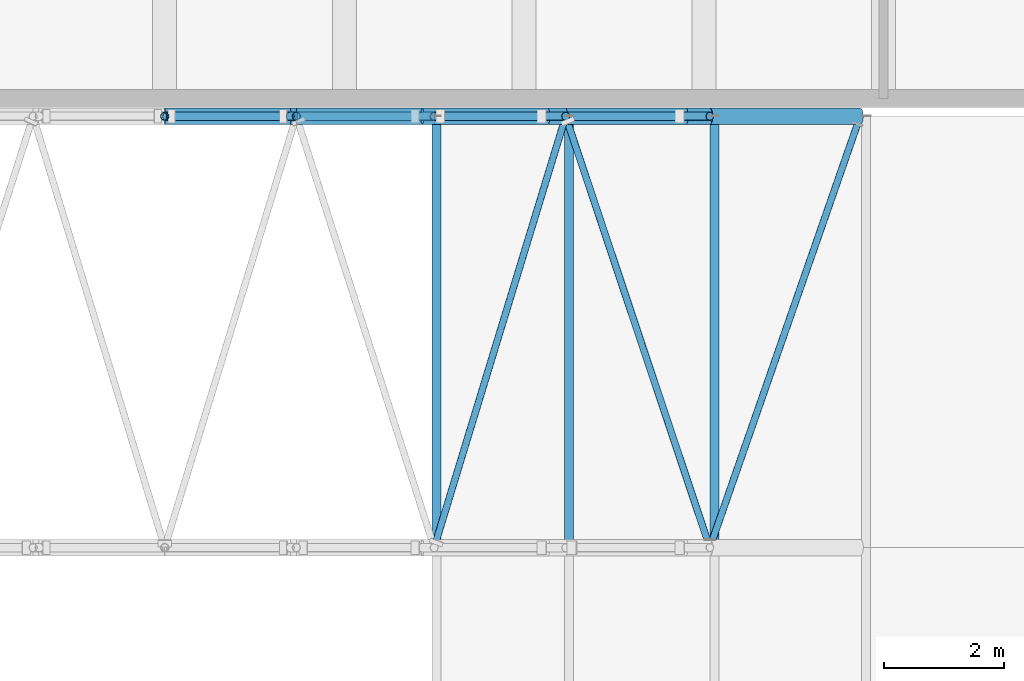
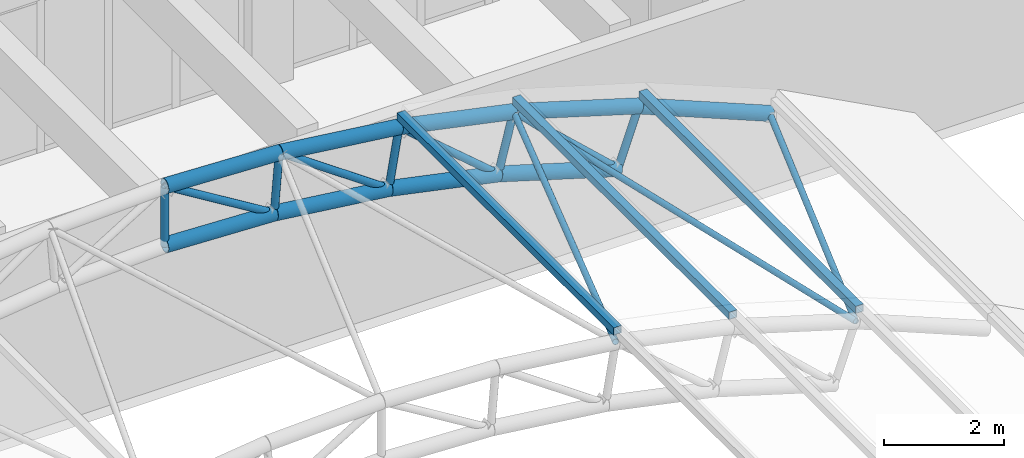
# One storey, part 12 of 92: 24 members.
"""IFC4 building model written with IfcOpenShell, lengths in metres."""

from ifc_helpers import new_model, si_unit, direction, frame, origin, origin_2d, place, context, subcontext, project, spatial, hollow_rectangle, hollow_circle, extrude, material, material_profile, profile_set, type_object, element, save


model = new_model("IFC4")

# Units and contexts
model_context = context("Model", 3, precision=1e-05, world=origin(), true_north=direction((0.0, 1.0)))
body_context = subcontext(model_context, "Body", "Model", "MODEL_VIEW")
ifc_project = project(units=[si_unit("LENGTHUNIT", "METRE"), si_unit("AREAUNIT", "SQUARE_METRE"), si_unit("VOLUMEUNIT", "CUBIC_METRE"), si_unit("PLANEANGLEUNIT", "RADIAN"), si_unit("MASSUNIT", "GRAM", prefix="KILO")], contexts=[model_context])

# Site, building, storey
site_placement = place(None, origin())
site = spatial("IfcSite", under=ifc_project, at=site_placement, CompositionType="ELEMENT")
building_placement = place(site_placement, origin())
building = spatial("IfcBuilding", under=site, at=building_placement, Name="Laocheng Heights Fire and Rescue Headquarters", CompositionType="ELEMENT")
storey_placement = place(building_placement, frame((0.0, 0.0, 12.60009765625)))
storey = spatial("IfcBuildingStorey", under=building, at=storey_placement, Name="L03", CompositionType="ELEMENT", Elevation=12.60009765625)

# Members
ifc_material_1 = material(Name="Steel Q355B", Category="steel")
ifc_material_profile_1 = material_profile(ifc_material_1, hollow_circle(Radius=0.05712890625, WallThickness=0.0048828125, at=origin_2d()), Name="CHS 114.3x5")
ifc_profile_set_1 = profile_set([ifc_material_profile_1], Name="Steel Q355B")
member_type_1 = type_object("IfcMemberType", Name="BAY ROOF BRACE CHS 114.3x5", PredefinedType="BRACE", material=ifc_profile_set_1)
member_1_placement = place(storey_placement, frame((40.498046875, 14.39990234375, 3.826904296875), z_axis=(0.29118762728, 0.954719900359, -0.06098915951), x_axis=(-0.956500494432, 0.291730704849, 0.0)))
element("IfcMember", 1, at=member_1_placement, inside=storey, type_object=member_type_1, Name="Roof brace C-D panel 11", PredefinedType="BRACE", context=body_context, shape_type="SweptSolid", body=[
    extrude(hollow_circle(Radius=0.05712890625, WallThickness=0.0048828125, at=origin_2d()), origin(), (0.0, 0.0, 1.0), 7.541748046875),
])
member_2_placement = place(storey_placement, frame((45.10009765625, 14.39990234375, 2.638916015625), z_axis=(-0.315484576817, 0.944116807659, 0.09546169539), x_axis=(-0.948448272196, -0.316931972145, 0.0)))
element("IfcMember", 2, at=member_2_placement, inside=storey, type_object=member_type_1, Name="Roof brace C-D panel 12", PredefinedType="BRACE", context=body_context, shape_type="SweptSolid", body=[
    extrude(hollow_circle(Radius=0.05712890625, WallThickness=0.0048828125, at=origin_2d()), origin(), (0.0, 0.0, 1.0), 7.62646484375),
])
member_3_placement = place(storey_placement, frame((45.10009765625, 14.39990234375, 2.638916015625), z_axis=(0.32620663514, 0.935753923116, -0.133991889913), x_axis=(-0.944268935836, 0.329174994213, 0.0)))
element("IfcMember", 3, at=member_3_placement, inside=storey, type_object=member_type_1, Name="Roof brace C-D panel 13", PredefinedType="BRACE", context=body_context, shape_type="SweptSolid", body=[
    extrude(hollow_circle(Radius=0.05712890625, WallThickness=0.0048828125, at=origin_2d()), origin(), (0.0, 0.0, 1.0), 7.694580078125),
])
ifc_material_2 = material(Name="Steel Q355B", Category="steel")
ifc_material_profile_2 = material_profile(ifc_material_2, hollow_circle(Radius=0.136474609375, WallThickness=0.011962890625, at=origin_2d()), Name="CHS 273x12")
ifc_profile_set_2 = profile_set([ifc_material_profile_2], Name="Steel Q355B")
member_type_2 = type_object("IfcMemberType", Name="BAY ROOF CHORD CHS 273x12", PredefinedType="CHORD", material=ifc_profile_set_2)
member_4_placement = place(storey_placement, frame((36.0, 21.60009765625, 4.199951171875), z_axis=(0.999178454192, 0.0, -0.04052674028), x_axis=(0.0, 1.0, 0.0)))
element("IfcMember", 4, at=member_4_placement, inside=storey, type_object=member_type_2, Name="Truss TR4 upper chord 09", PredefinedType="CHORD", context=body_context, shape_type="SweptSolid", body=[
    extrude(hollow_circle(Radius=0.136474609375, WallThickness=0.011962890625, at=origin_2d()), origin(), (0.0, 0.0, 1.0), 2.19873046875),
])
member_5_placement = place(storey_placement, frame((38.197021484375, 21.60009765625, 4.11083984375), z_axis=(0.992472661513, 0.0, -0.122466387834), x_axis=(0.0, 1.0, 0.0)))
element("IfcMember", 5, at=member_5_placement, inside=storey, type_object=member_type_2, Name="Truss TR4 upper chord 10", PredefinedType="CHORD", context=body_context, shape_type="SweptSolid", body=[
    extrude(hollow_circle(Radius=0.136474609375, WallThickness=0.011962890625, at=origin_2d()), origin(), (0.0, 0.0, 1.0), 2.318359375),
])
member_6_placement = place(storey_placement, frame((40.498046875, 21.60009765625, 3.826904296875), z_axis=(0.978761692997, 0.0, -0.205001337366), x_axis=(0.0, 1.0, 0.0)))
element("IfcMember", 6, at=member_6_placement, inside=storey, type_object=member_type_2, Name="Truss TR4 upper chord 11", PredefinedType="CHORD", context=body_context, shape_type="SweptSolid", body=[
    extrude(hollow_circle(Radius=0.136474609375, WallThickness=0.011962890625, at=origin_2d()), origin(), (0.0, 0.0, 1.0), 2.24365234375),
])
member_7_placement = place(storey_placement, frame((42.694091796875, 21.60009765625, 3.366943359375), z_axis=(0.957141950911, 0.0, -0.289619208282), x_axis=(0.0, 1.0, 0.0)))
element("IfcMember", 7, at=member_7_placement, inside=storey, type_object=member_type_2, Name="Truss TR4 upper chord 12", PredefinedType="CHORD", context=body_context, shape_type="SweptSolid", body=[
    extrude(hollow_circle(Radius=0.136474609375, WallThickness=0.011962890625, at=origin_2d()), origin(), (0.0, 0.0, 1.0), 2.513671875),
])
member_8_placement = place(storey_placement, frame((45.10009765625, 21.60009765625, 2.638916015625), z_axis=(0.925005702024, 0.0, -0.379953222415), x_axis=(0.0, 1.0, 0.0)))
element("IfcMember", 8, at=member_8_placement, inside=storey, type_object=member_type_2, Name="Truss TR4 upper chord 13", PredefinedType="CHORD", context=body_context, shape_type="SweptSolid", body=[
    extrude(hollow_circle(Radius=0.136474609375, WallThickness=0.011962890625, at=origin_2d()), origin(), (0.0, 0.0, 1.0), 2.713623046875),
])
member_9_placement = place(storey_placement, frame((36.0, 21.60009765625, 3.0), z_axis=(0.999177972736, 0.0, -0.040538608752), x_axis=(0.0, 1.0, 0.0)))
element("IfcMember", 9, at=member_9_placement, inside=storey, type_object=member_type_2, Name="Truss TR4 lower chord 09", PredefinedType="CHORD", context=body_context, shape_type="SweptSolid", body=[
    extrude(hollow_circle(Radius=0.136474609375, WallThickness=0.011962890625, at=origin_2d()), origin(), (0.0, 0.0, 1.0), 2.101806640625),
])
member_10_placement = place(storey_placement, frame((38.10009765625, 21.60009765625, 2.914794921875), z_axis=(0.992444716413, 0.0, -0.122692643889), x_axis=(0.0, 1.0, 0.0)))
element("IfcMember", 10, at=member_10_placement, inside=storey, type_object=member_type_2, Name="Truss TR4 lower chord 10", PredefinedType="CHORD", context=body_context, shape_type="SweptSolid", body=[
    extrude(hollow_circle(Radius=0.136474609375, WallThickness=0.011962890625, at=origin_2d()), origin(), (0.0, 0.0, 1.0), 2.216796875),
])
member_11_placement = place(storey_placement, frame((40.300048828125, 21.60009765625, 2.642822265625), z_axis=(0.978749745758, 0.0, -0.205058370173), x_axis=(0.0, 1.0, 0.0)))
element("IfcMember", 11, at=member_11_placement, inside=storey, type_object=member_type_2, Name="Truss TR4 lower chord 11", PredefinedType="CHORD", context=body_context, shape_type="SweptSolid", body=[
    extrude(hollow_circle(Radius=0.136474609375, WallThickness=0.011962890625, at=origin_2d()), origin(), (0.0, 0.0, 1.0), 2.1455078125),
])
member_12_placement = place(storey_placement, frame((42.39990234375, 21.60009765625, 2.202880859375), z_axis=(0.957132854261, 0.0, -0.289649269451), x_axis=(0.0, 1.0, 0.0)))
element("IfcMember", 12, at=member_12_placement, inside=storey, type_object=member_type_2, Name="Truss TR4 lower chord 12", PredefinedType="CHORD", context=body_context, shape_type="SweptSolid", body=[
    extrude(hollow_circle(Radius=0.136474609375, WallThickness=0.011962890625, at=origin_2d()), origin(), (0.0, 0.0, 1.0), 2.403076171875),
])
ifc_material_3 = material(Name="Steel Q355B", Category="steel")
ifc_material_profile_3 = material_profile(ifc_material_3, hollow_circle(Radius=0.06982421875, WallThickness=0.006103515625, at=origin_2d()), Name="CHS 139.7x6")
ifc_profile_set_3 = profile_set([ifc_material_profile_3], Name="Steel Q355B")
member_type_3 = type_object("IfcMemberType", Name="BAY ROOF DIAG CHS 139.7x6", PredefinedType="BRACE", material=ifc_profile_set_3)
member_13_placement = place(storey_placement, frame((38.10009765625, 21.60009765625, 2.914794921875), z_axis=(-0.852963029568, 0.0, 0.521971330812), x_axis=(0.0, -1.0, 0.0)))
element("IfcMember", 13, at=member_13_placement, inside=storey, type_object=member_type_3, Name="Truss diagonal TR4-09", PredefinedType="BRACE", context=body_context, shape_type="SweptSolid", body=[
    extrude(hollow_circle(Radius=0.06982421875, WallThickness=0.006103515625, at=origin_2d()), origin(), (0.0, 0.0, 1.0), 2.462158203125),
])
member_14_placement = place(storey_placement, frame((40.300048828125, 21.60009765625, 2.642822265625), z_axis=(-0.819982530229, 0.0, 0.572388548208), x_axis=(0.0, -1.0, 0.0)))
element("IfcMember", 14, at=member_14_placement, inside=storey, type_object=member_type_3, Name="Truss diagonal TR4-10", PredefinedType="BRACE", context=body_context, shape_type="SweptSolid", body=[
    extrude(hollow_circle(Radius=0.06982421875, WallThickness=0.006103515625, at=origin_2d()), origin(), (0.0, 0.0, 1.0), 2.564697265625),
])
member_15_placement = place(storey_placement, frame((42.39990234375, 21.60009765625, 2.202880859375), z_axis=(-0.760468082099, 0.0, 0.649375312211), x_axis=(0.0, -1.0, 0.0)))
element("IfcMember", 15, at=member_15_placement, inside=storey, type_object=member_type_3, Name="Truss diagonal TR4-11", PredefinedType="BRACE", context=body_context, shape_type="SweptSolid", body=[
    extrude(hollow_circle(Radius=0.06982421875, WallThickness=0.006103515625, at=origin_2d()), origin(), (0.0, 0.0, 1.0), 2.5009765625),
])
member_16_placement = place(storey_placement, frame((44.699951171875, 21.60009765625, 1.5068359375), z_axis=(-0.733244694838, 0.0, 0.679964864895), x_axis=(0.0, -1.0, 0.0)))
element("IfcMember", 16, at=member_16_placement, inside=storey, type_object=member_type_3, Name="Truss diagonal TR4-12", PredefinedType="BRACE", context=body_context, shape_type="SweptSolid", body=[
    extrude(hollow_circle(Radius=0.06982421875, WallThickness=0.006103515625, at=origin_2d()), origin(), (0.0, 0.0, 1.0), 2.735595703125),
])
ifc_material_4 = material(Name="Steel Q355B", Category="steel")
ifc_material_profile_4 = material_profile(ifc_material_4, hollow_circle(Radius=0.06982421875, WallThickness=0.006103515625, at=origin_2d()), Name="CHS 139.7x6")
ifc_profile_set_4 = profile_set([ifc_material_profile_4], Name="Steel Q355B")
member_type_4 = type_object("IfcMemberType", Name="BAY ROOF POST CHS 139.7x6", PredefinedType="POST", material=ifc_profile_set_4)
for number, where, z_axis, x_axis, name in (
    (17, (36.0, 21.60009765625, 3.0), (0.0, 0.0, 1.0), (1.0, 0.0, 0.0), "Truss TR4 radial post 08"),
    (18, (38.10009765625, 21.60009765625, 2.914794921875), (0.080772165441, 0.0, 0.996732590663), (0.0, 1.0, 0.0), "Truss TR4 radial post 09"),
):
    element("IfcMember", number, at=place(storey_placement, frame(where, z_axis=z_axis, x_axis=x_axis)), inside=storey, type_object=member_type_4, Name=name, PredefinedType="POST", context=body_context, shape_type="SweptSolid", body=[
        extrude(hollow_circle(Radius=0.06982421875, WallThickness=0.006103515625, at=origin_2d()), origin(), (0.0, 0.0, 1.0), 1.199951171875),
    ])
member_17_placement = place(storey_placement, frame((40.300048828125, 21.60009765625, 2.642822265625), z_axis=(0.164926605807, 0.0, 0.986305842372), x_axis=(0.0, 1.0, 0.0)))
element("IfcMember", 19, at=member_17_placement, inside=storey, type_object=member_type_4, Name="Truss TR4 radial post 10", PredefinedType="POST", context=body_context, shape_type="SweptSolid", body=[
    extrude(hollow_circle(Radius=0.06982421875, WallThickness=0.006103515625, at=origin_2d()), origin(), (0.0, 0.0, 1.0), 1.200439453125),
])
for number, where, z_axis, x_axis, name in (
    (20, (42.39990234375, 21.60009765625, 2.202880859375), (0.24502273224, 0.0, 0.969517333876), (0.0, 1.0, 0.0), "Truss TR4 radial post 11"),
    (21, (44.699951171875, 21.60009765625, 1.5068359375), (0.333256144539, 0.0, 0.942836328387), (0.0, 1.0, 0.0), "Truss TR4 radial post 12"),
):
    element("IfcMember", number, at=place(storey_placement, frame(where, z_axis=z_axis, x_axis=x_axis)), inside=storey, type_object=member_type_4, Name=name, PredefinedType="POST", context=body_context, shape_type="SweptSolid", body=[
        extrude(hollow_circle(Radius=0.06982421875, WallThickness=0.006103515625, at=origin_2d()), origin(), (0.0, 0.0, 1.0), 1.20068359375),
    ])
ifc_material_5 = material(Name="Steel Q355B", Category="steel")
ifc_material_profile_5 = material_profile(ifc_material_5, hollow_rectangle(XDim=0.14990234375, YDim=0.14990234375, WallThickness=0.008056640625, at=origin_2d()), Name="SHS 150x150x8")
ifc_profile_set_5 = profile_set([ifc_material_profile_5], Name="Steel Q355B")
member_type_5 = type_object("IfcMemberType", Name="BAY ROOF PURLIN SHS 150x150x8", PredefinedType="PURLIN", material=ifc_profile_set_5)
for number, where, z_axis, x_axis, name in (
    (22, (40.534912109375, 14.39990234375, 4.047119140625), (0.0, 1.0, 0.0), (-1.0, 0.0, 0.0), "Purlin 11.3"),
    (23, (42.75, 14.39990234375, 3.588134765625), (0.0, 1.0, 0.0), (-1.0, 0.0, 0.0), "Purlin 12.3"),
    (24, (45.177490234375, 14.39990234375, 2.8583984375), (0.0, 1.0, 0.0), (-1.0, 0.0, 0.0), "Purlin 13.3"),
):
    element("IfcMember", number, at=place(storey_placement, frame(where, z_axis=z_axis, x_axis=x_axis)), inside=storey, type_object=member_type_5, Name=name, PredefinedType="PURLIN", context=body_context, shape_type="SweptSolid", body=[
        extrude(hollow_rectangle(XDim=0.14990234375, YDim=0.14990234375, WallThickness=0.008056640625, at=origin_2d()), origin(), (0.0, 0.0, 1.0), 7.2001953125),
    ])

save(model, "model.ifc")
